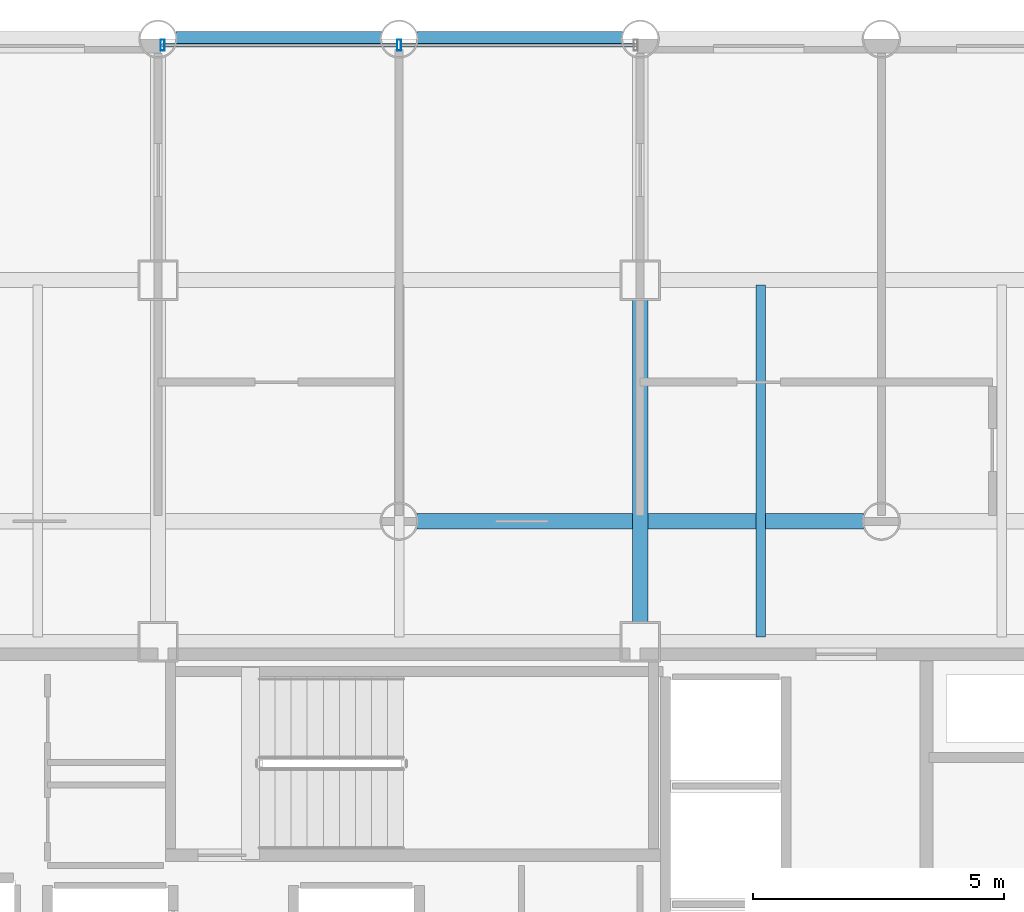
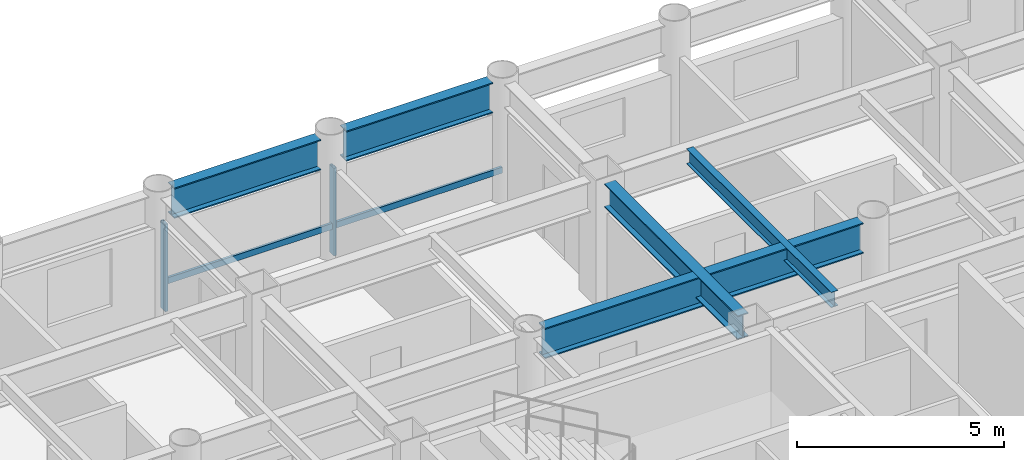
# One storey, part 11 of 20: 5 beams, 4 members, 1 element without a shape of its own.
"""IFC4 building model written with IfcOpenShell, lengths in metres."""

import ifcopenshell
import ifcopenshell.guid

model = None  # the IFC model being written
_history = None  # IfcOwnerHistory: only IFC2X3 demands one
_inside = {}  # id of a spatial element -> (the spatial element, [elements in it])
_under = {}  # id of a project, library or spatial element -> (it, [spatial elements below it])
_declared = {}  # id of a project -> (the project, [libraries it declares])
_typed = {}  # id of a type object -> (the type object, [elements of that type])
_made_of = {}  # id of a material, layer set ... -> (it, [elements and type objects made of it])


def new_model(schema):
    """Start an empty IFC model of exactly this schema.

    Asked for "IFC4X3", IfcOpenShell would pick the latest addendum, in which some entities
    have other attributes; the version numbers below select the first issue.
    IFC2X3 requires an IfcOwnerHistory on every rooted entity: one is made here for all.
    """
    global model, _history
    if schema == "IFC4X3":
        model = ifcopenshell.file(schema_version=(4, 3, 0, 0))
    else:
        model = ifcopenshell.file(schema=schema)
    _inside.clear()
    _under.clear()
    _declared.clear()
    _typed.clear()
    _made_of.clear()
    _history = None
    if model.schema == "IFC2X3":
        org = make("IfcOrganization", Name="unknown")
        user = make(
            "IfcPersonAndOrganization",
            ThePerson=make("IfcPerson", FamilyName="unknown"),
            TheOrganization=org,
        )
        app = make(
            "IfcApplication",
            ApplicationDeveloper=org,
            Version="unknown",
            ApplicationFullName="unknown",
            ApplicationIdentifier="unknown",
        )
        _history = make(
            "IfcOwnerHistory",
            OwningUser=user,
            OwningApplication=app,
            ChangeAction="ADDED",
            CreationDate=0,
        )
    return model


def make(cls, **values):
    """One entity of the class cls with the attributes given. An attribute that is None is left unset."""
    return model.create_entity(
        cls, **{name: value for name, value in values.items() if value is not None}
    )


def rooted(cls, **values):
    """An entity with a GlobalId (a new one), such as an element, a storey or a relation."""
    return make(cls, GlobalId=ifcopenshell.guid.new(), OwnerHistory=_history, **values)


def si_unit(unit_type, name, prefix=None):
    """IfcSIUnit, for example si_unit("LENGTHUNIT", "METRE", prefix="MILLI")."""
    return make("IfcSIUnit", UnitType=unit_type, Prefix=prefix, Name=name)


def assignment(units):
    """IfcUnitAssignment: the units of a project."""
    return None if units is None else make("IfcUnitAssignment", Units=units)


def point(xyz):
    """IfcCartesianPoint."""
    return None if xyz is None else make("IfcCartesianPoint", Coordinates=xyz)


def direction(xyz):
    """IfcDirection."""
    return None if xyz is None else make("IfcDirection", DirectionRatios=xyz)


def frame(location, z_axis=None, x_axis=None):
    """IfcAxis2Placement3D, a coordinate frame: its origin and axes. An axis left out is left unset."""
    return make(
        "IfcAxis2Placement3D",
        Location=point(location),
        Axis=direction(z_axis),
        RefDirection=direction(x_axis),
    )


def frame_2d(location, x_axis=None):
    """IfcAxis2Placement2D, a coordinate frame in the plane: its origin and x axis."""
    return make(
        "IfcAxis2Placement2D", Location=point(location), RefDirection=direction(x_axis)
    )


def origin():
    """The frame at (0, 0, 0) with its axes left unset."""
    return frame((0.0, 0.0, 0.0))


def origin_2d():
    """The frame at (0, 0) in the plane with its x axis left unset."""
    return frame_2d((0.0, 0.0))


def place(relative_to, where):
    """IfcLocalPlacement: puts the frame where relative to a parent placement (None: the world)."""
    return make(
        "IfcLocalPlacement", PlacementRelTo=relative_to, RelativePlacement=where
    )


def context(
    kind, dimensions, precision=None, world=None, true_north=None, identifier=None
):
    """IfcGeometricRepresentationContext, for example the 3D "Model" context."""
    return make(
        "IfcGeometricRepresentationContext",
        ContextIdentifier=identifier,
        ContextType=kind,
        CoordinateSpaceDimension=dimensions,
        Precision=precision,
        WorldCoordinateSystem=world,
        TrueNorth=true_north,
    )


def subcontext(parent, identifier, kind, view, scale=None):
    """IfcGeometricRepresentationSubContext, for example "Body" below "Model"."""
    return make(
        "IfcGeometricRepresentationSubContext",
        ContextIdentifier=identifier,
        ContextType=kind,
        ParentContext=parent,
        TargetScale=scale,
        TargetView=view,
    )


def project(units=None, contexts=None):
    """IfcProject with its units and contexts."""
    return rooted(
        "IfcProject",
        Name="project",
        RepresentationContexts=contexts,
        UnitsInContext=assignment(units),
    )


def spatial(cls, under=None, at=None, **own):
    """A site, building, storey or space (cls), placed at a placement, below another one or the project."""
    s = rooted(cls, ObjectPlacement=at, **own)
    if under is not None:
        _under.setdefault(under.id(), (under, []))[1].append(s)
    return s


def profile(cls, at=None, kind="AREA", **sizes):
    """A parametric profile (cls). Its sizes go by their IFC names, for example OverallWidth=200.0."""
    return make(cls, ProfileType=kind, Position=at, **sizes)


def hollow_rectangle(**sizes):
    """IfcRectangleHollowProfileDef."""
    return profile("IfcRectangleHollowProfileDef", **sizes)


def i_section(**sizes):
    """IfcIShapeProfileDef."""
    return profile("IfcIShapeProfileDef", **sizes)


def extrude(swept, where, along, depth):
    """IfcExtrudedAreaSolid: the profile swept, set in the frame where, extruded along a direction by depth."""
    return make(
        "IfcExtrudedAreaSolid",
        SweptArea=swept,
        Position=where,
        ExtrudedDirection=direction(along),
        Depth=depth,
    )


def shape(context_of_items, identifier, shape_type, items):
    """IfcShapeRepresentation: the items that make up one representation, for example the "Body"."""
    return make(
        "IfcShapeRepresentation",
        ContextOfItems=context_of_items,
        RepresentationIdentifier=identifier,
        RepresentationType=shape_type,
        Items=items,
    )


def material(Name=None, Category=None):
    """IfcMaterial."""
    return make("IfcMaterial", Name=Name, Category=Category)


def layer(
    of_material, thickness, ventilated=None, Name=None, Category=None, Priority=None
):
    """IfcMaterialLayer: one layer of a wall or slab, of a material (None: an air gap)."""
    return make(
        "IfcMaterialLayer",
        Material=of_material,
        LayerThickness=thickness,
        IsVentilated=ventilated,
        Name=Name,
        Category=Category,
        Priority=Priority,
    )


def layer_set(layers, Name=None):
    """IfcMaterialLayerSet."""
    return make("IfcMaterialLayerSet", MaterialLayers=layers, LayerSetName=Name)


def material_profile(
    of_material, cross_section, Name=None, Category=None, Priority=None
):
    """IfcMaterialProfile: a cross section and its material."""
    return make(
        "IfcMaterialProfile",
        Name=Name,
        Material=of_material,
        Profile=cross_section,
        Priority=Priority,
        Category=Category,
    )


def profile_set(profiles, Name=None, composite=None):
    """IfcMaterialProfileSet."""
    return make(
        "IfcMaterialProfileSet",
        Name=Name,
        MaterialProfiles=profiles,
        CompositeProfile=composite,
    )


def made_of(thing, what):
    """Note that an element or type object is made of a material, layer set ...; save() writes the relation."""
    if what is not None:
        _made_of.setdefault(what.id(), (what, []))[1].append(thing)
    return thing


def type_object(cls, material=None, **own):
    """A type object (cls), such as IfcWallType, which elements share."""
    return made_of(rooted(cls, **own), material)


def element(
    cls,
    number,
    at=None,
    inside=None,
    cuts=None,
    type_object=None,
    material=None,
    context=None,
    identifier="Body",
    shape_type=None,
    held_by="IfcProductDefinitionShape",
    body=None,
    shapes=None,
    **own,
):
    """One element of the class cls, such as IfcWall. Its Tag is "e" and its number.

    at: its placement. inside: the storey or other place that contains it. cuts: it is an
    opening in that element (IfcRelVoidsElement). A single representation is given by context,
    identifier, shape_type and body (its items); several are given by shapes. held_by: the class
    of the entity that holds the representations. save() writes the other relations.
    """
    e = rooted(cls, Tag="e%d" % number, ObjectPlacement=at, **own)
    if body is not None:
        shapes = [shape(context, identifier, shape_type, body)]
    if shapes is not None:
        e.Representation = make(held_by, Representations=shapes)
    if inside is not None:
        _inside.setdefault(inside.id(), (inside, []))[1].append(e)
    if cuts is not None:
        rooted(
            "IfcRelVoidsElement", RelatingBuildingElement=cuts, RelatedOpeningElement=e
        )
    if type_object is not None:
        _typed.setdefault(type_object.id(), (type_object, []))[1].append(e)
    return made_of(e, material)


def aggregate(whole, parts):
    """IfcRelAggregates: a whole, such as a stair, and the parts it consists of."""
    return rooted("IfcRelAggregates", RelatingObject=whole, RelatedObjects=parts)


def save(model, path):
    """Write the relations noted so far, then the file.

    IfcRelAggregates (storeys below a building ...), IfcRelContainedInSpatialStructure (elements
    in a storey), IfcRelDefinesByType, IfcRelAssociatesMaterial and IfcRelDeclares: one each for
    every whole, place, type object, material and project.
    """
    for whole, parts in _under.values():
        aggregate(whole, parts)
    for where, things in _inside.values():
        rooted(
            "IfcRelContainedInSpatialStructure",
            RelatedElements=things,
            RelatingStructure=where,
        )
    for kind, things in _typed.values():
        rooted("IfcRelDefinesByType", RelatedObjects=things, RelatingType=kind)
    for what, things in _made_of.values():
        rooted("IfcRelAssociatesMaterial", RelatedObjects=things, RelatingMaterial=what)
    for by, libraries in _declared.values():
        rooted("IfcRelDeclares", RelatingContext=by, RelatedDefinitions=libraries)
    model.write(path)


model = new_model("IFC4")

# Units and contexts
model_context = context("Model", 3, precision=1e-05, world=origin(), true_north=direction((0.0, 1.0)))
body_context = subcontext(model_context, "Body", "Model", "MODEL_VIEW")
ifc_project = project(units=[si_unit("LENGTHUNIT", "METRE"), si_unit("AREAUNIT", "SQUARE_METRE"), si_unit("VOLUMEUNIT", "CUBIC_METRE"), si_unit("PLANEANGLEUNIT", "RADIAN"), si_unit("MASSUNIT", "GRAM", prefix="KILO")], contexts=[model_context])

# Site, building, storey
site_placement = place(None, origin())
site = spatial("IfcSite", under=ifc_project, at=site_placement, CompositionType="ELEMENT")
building_placement = place(site_placement, origin())
building = spatial("IfcBuilding", under=site, at=building_placement, Name="Kallvorn Hotel Tower", CompositionType="ELEMENT")
storey_placement = place(building_placement, frame((0.0, 0.0, 74.39990234375)))
storey = spatial("IfcBuildingStorey", under=building, at=storey_placement, Name="L17", CompositionType="ELEMENT", Elevation=74.39990234375)

# Beams
ifc_material_1 = material(Name="Structural steel S355JR", Category="steel")
ifc_material_profile_1 = material_profile(ifc_material_1, i_section(OverallWidth=0.300048828125, OverallDepth=0.699951171875, WebThickness=0.01708984375, FlangeThickness=0.031982421875, at=origin_2d()), Name="HE 700 B")
ifc_profile_set_1 = profile_set([ifc_material_profile_1], Name="Structural steel S355JR")
beam_type_1 = type_object("IfcBeamType", Name="BM_HE700B", PredefinedType="BEAM", material=ifc_profile_set_1)
beam_1_placement = place(storey_placement, frame((4.800048828125, 7.574951171875, 3.170166015625), z_axis=(0.0, 1.0, 0.0), x_axis=(-1.0, 0.0, 0.0)))
element("IfcBeam", 1, at=beam_1_placement, inside=storey, type_object=beam_type_1, Name="L18 Primary Y-Girder 116", PredefinedType="BEAM", context=body_context, shape_type="SweptSolid", body=[
    extrude(i_section(OverallWidth=0.300048828125, OverallDepth=0.699951171875, WebThickness=0.01708984375, FlangeThickness=0.031982421875, at=origin_2d()), origin(), (0.0, 0.0, 1.0), 6.449951171875),
])
ifc_material_2 = material(Name="Structural steel S355JR", Category="steel")
ifc_material_profile_2 = material_profile(ifc_material_2, i_section(OverallWidth=0.300048828125, OverallDepth=0.89990234375, WebThickness=0.0185546875, FlangeThickness=0.034912109375, at=origin_2d()), Name="HE 900 B")
ifc_profile_set_2 = profile_set([ifc_material_profile_2], Name="Structural steel S355JR")
beam_type_2 = type_object("IfcBeamType", Name="BM_HE900B", PredefinedType="BEAM", material=ifc_profile_set_2)
beam_2_placement = place(storey_placement, frame((0.35595703125, 9.60009765625, 3.070068359375), z_axis=(1.0, 0.0, 0.0), x_axis=(0.0, 1.0, 0.0)))
element("IfcBeam", 2, at=beam_2_placement, inside=storey, type_object=beam_type_2, Name="L18 Primary X-Girder 46", PredefinedType="BEAM", context=body_context, shape_type="SweptSolid", body=[
    extrude(i_section(OverallWidth=0.300048828125, OverallDepth=0.89990234375, WebThickness=0.0185546875, FlangeThickness=0.034912109375, at=origin_2d()), origin(), (0.0, 0.0, 1.0), 8.887939453125),
])
for number, where, z_axis, x_axis, name in (
    (3, (-4.444091796875, 19.199951171875, 3.070068359375), (1.0, 0.0, 0.0), (0.0, 1.0, 0.0), "L18 Primary X-Girder 66"),
    (4, (0.35595703125, 19.199951171875, 3.070068359375), (1.0, 0.0, 0.0), (0.0, 1.0, 0.0), "L18 Primary X-Girder 67"),
):
    element("IfcBeam", number, at=place(storey_placement, frame(where, z_axis=z_axis, x_axis=x_axis)), inside=storey, type_object=beam_type_2, Name=name, PredefinedType="BEAM", context=body_context, shape_type="SweptSolid", body=[
        extrude(i_section(OverallWidth=0.300048828125, OverallDepth=0.89990234375, WebThickness=0.0185546875, FlangeThickness=0.034912109375, at=origin_2d()), origin(), (0.0, 0.0, 1.0), 4.088134765625),
    ])
ifc_material_3 = material(Name="Structural steel S355JR", Category="steel")
ifc_material_profile_3 = material_profile(ifc_material_3, i_section(OverallWidth=0.18994140625, OverallDepth=0.449951171875, WebThickness=0.009521484375, FlangeThickness=0.0146484375, at=origin_2d()), Name="IPE 450")
ifc_profile_set_3 = profile_set([ifc_material_profile_3], Name="Structural steel S355JR")
beam_type_3 = type_object("IfcBeamType", Name="BM_IPE450", PredefinedType="JOIST", material=ifc_profile_set_3)
beam_3_placement = place(storey_placement, frame((7.199951171875, 7.300048828125, 3.295166015625), z_axis=(0.0, 1.0, 0.0), x_axis=(-1.0, 0.0, 0.0)))
element("IfcBeam", 5, at=beam_3_placement, inside=storey, type_object=beam_type_3, Name="L18 Secondary Composite Joist 203", PredefinedType="JOIST", context=body_context, shape_type="SweptSolid", body=[
    extrude(i_section(OverallWidth=0.18994140625, OverallDepth=0.449951171875, WebThickness=0.009521484375, FlangeThickness=0.0146484375, at=origin_2d()), origin(), (0.0, 0.0, 1.0), 7.0),
])

# Curtain wall, members
ifc_material_4 = material(Name="Thermally broken black-anodised aluminium AA 6063-T6", Category="aluminium")
ifc_layer = layer(ifc_material_4, 0.199951171875)
ifc_layer_set = layer_set([ifc_layer], Name="CW_SYS_3_HOTEL_LOW")
curtain_wall_type = type_object("IfcCurtainWallType", Name="CW_SYS_3_HOTEL_LOW", PredefinedType="USERDEFINED", material=ifc_layer_set)
curtain_wall_placement = place(storey_placement, origin())
curtain_wall = element("IfcCurtainWall", 6, at=curtain_wall_placement, inside=storey, type_object=curtain_wall_type, Name="L17 Dark-Glass Curtain Wall CW-L17-NC", ObjectType="UNITISED CURTAIN WALL", PredefinedType="USERDEFINED")
ifc_material_5 = material(Name="Thermally broken black-anodised aluminium AA 6063-T6", Category="aluminium")
ifc_material_profile_4 = material_profile(ifc_material_5, hollow_rectangle(XDim=0.080078125, YDim=0.219970703125, WallThickness=0.0048828125, at=origin_2d()), Name="MUL 220x80")
ifc_profile_set_4 = profile_set([ifc_material_profile_4], Name="Thermally broken black-anodised aluminium AA 6063-T6")
member_type_1 = type_object("IfcMemberType", Name="CW_MULLION_220x80", PredefinedType="MULLION", material=ifc_profile_set_4)
member_1_placement = place(storey_placement, frame((-4.7099609375, 19.080078125, 0.02001953125), z_axis=(0.0, 0.0, 1.0), x_axis=(1.0, 0.0, 0.0)))
member_1 = element("IfcMember", 7, at=member_1_placement, type_object=member_type_1, Name="CW-L17-NC Mullion 00", PredefinedType="MULLION", context=body_context, shape_type="SweptSolid", body=[
    extrude(hollow_rectangle(XDim=0.080078125, YDim=0.219970703125, WallThickness=0.0048828125, at=origin_2d()), origin(), (0.0, 0.0, 1.0), 2.580078125),
])
member_2_placement = place(storey_placement, frame((0.0, 19.080078125, 0.02001953125), z_axis=(0.0, 0.0, 1.0), x_axis=(1.0, 0.0, 0.0)))
member_2 = element("IfcMember", 8, at=member_2_placement, type_object=member_type_1, Name="CW-L17-NC Mullion 01", PredefinedType="MULLION", context=body_context, shape_type="SweptSolid", body=[
    extrude(hollow_rectangle(XDim=0.080078125, YDim=0.219970703125, WallThickness=0.0048828125, at=origin_2d()), origin(), (0.0, 0.0, 1.0), 2.580078125),
])
ifc_material_6 = material(Name="Thermally broken black-anodised aluminium AA 6063-T6", Category="aluminium")
ifc_material_profile_5 = material_profile(ifc_material_6, hollow_rectangle(XDim=0.070068359375, YDim=0.179931640625, WallThickness=0.00390625, at=origin_2d()), Name="TRN 180x70")
ifc_profile_set_5 = profile_set([ifc_material_profile_5], Name="Thermally broken black-anodised aluminium AA 6063-T6")
member_type_2 = type_object("IfcMemberType", Name="CW_TRANSOM_180x70", PredefinedType="USERDEFINED", material=ifc_profile_set_5)
member_3_placement = place(storey_placement, frame((-4.7099609375, 19.080078125, 0.85009765625), z_axis=(1.0, 0.0, 0.0), x_axis=(0.0, 1.0, 0.0)))
member_3 = element("IfcMember", 9, at=member_3_placement, type_object=member_type_2, Name="CW-L17-NC Transom 00M", ObjectType="TRANSOM", PredefinedType="USERDEFINED", context=body_context, shape_type="SweptSolid", body=[
    extrude(hollow_rectangle(XDim=0.070068359375, YDim=0.179931640625, WallThickness=0.00390625, at=origin_2d()), origin(), (0.0, 0.0, 1.0), 4.669921875),
])
member_4_placement = place(storey_placement, frame((0.0400390625, 19.080078125, 0.85009765625), z_axis=(1.0, 0.0, 0.0), x_axis=(0.0, 1.0, 0.0)))
member_4 = element("IfcMember", 10, at=member_4_placement, type_object=member_type_2, Name="CW-L17-NC Transom 01M", ObjectType="TRANSOM", PredefinedType="USERDEFINED", context=body_context, shape_type="SweptSolid", body=[
    extrude(hollow_rectangle(XDim=0.070068359375, YDim=0.179931640625, WallThickness=0.00390625, at=origin_2d()), origin(), (0.0, 0.0, 1.0), 4.669921875),
])
aggregate(curtain_wall, [member_1, member_2, member_3, member_4])

save(model, "model.ifc")
